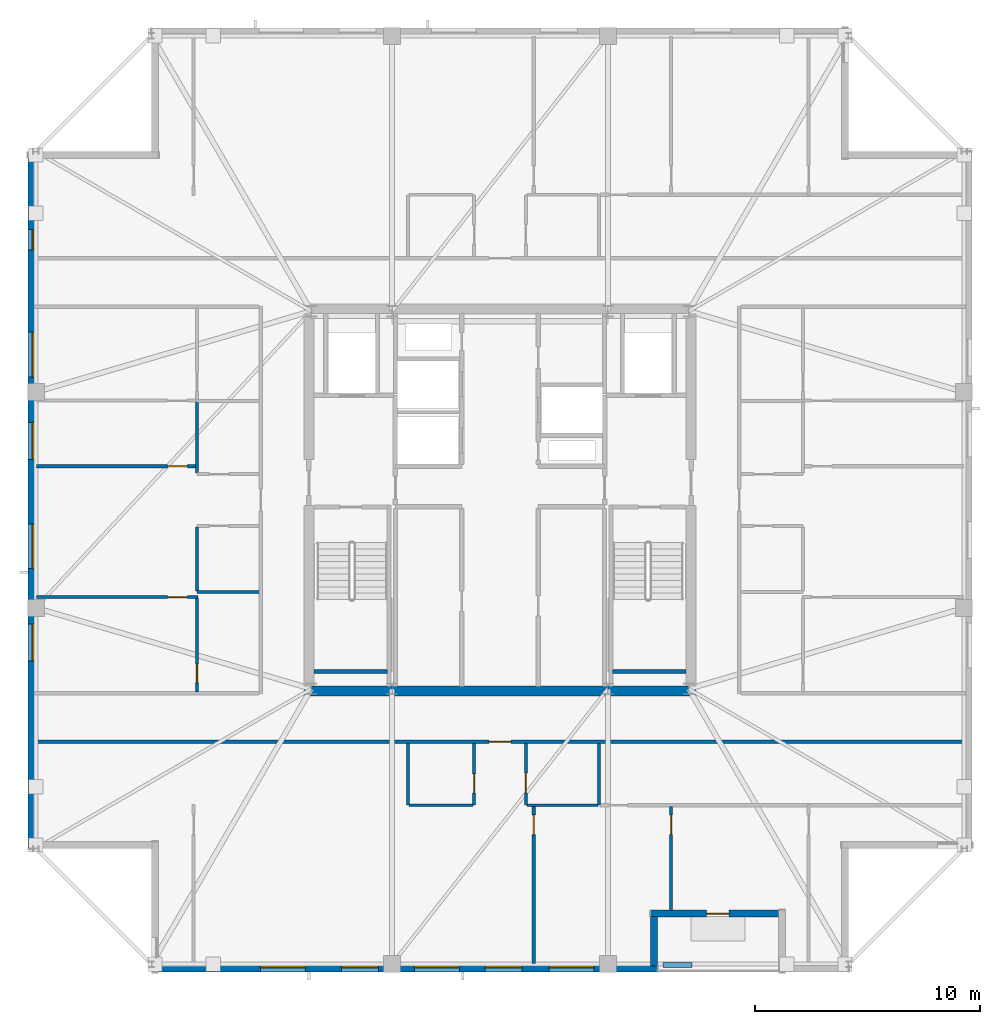
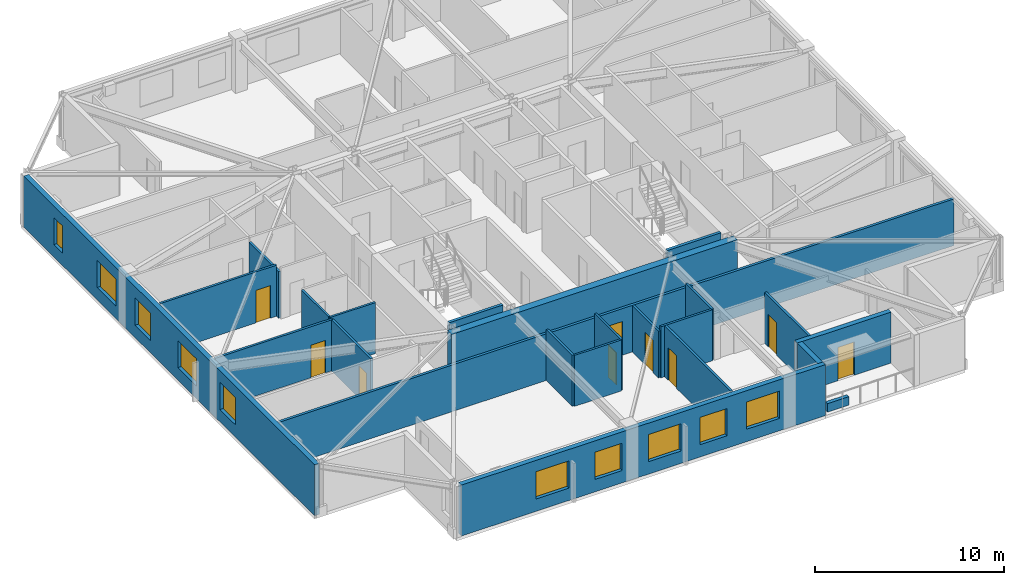
# One storey, part 7 of 15: 23 walls, 10 windows, 9 doors, 19 openings.
"""IFC4 building model written with IfcOpenShell, lengths in metres."""

from ifc_helpers import new_model, si_unit, direction, frame, frame_2d, origin, place, context, subcontext, project, spatial, rectangle, extrude, material, layer, layer_set, type_object, element, fill, save


model = new_model("IFC4")

# Units and contexts
model_context = context("Model", 3, precision=1e-05, world=origin(), true_north=direction((0.0, 1.0)))
body_context = subcontext(model_context, "Body", "Model", "MODEL_VIEW")
ifc_project = project(units=[si_unit("LENGTHUNIT", "METRE"), si_unit("AREAUNIT", "SQUARE_METRE"), si_unit("VOLUMEUNIT", "CUBIC_METRE"), si_unit("PLANEANGLEUNIT", "RADIAN"), si_unit("MASSUNIT", "GRAM", prefix="KILO")], contexts=[model_context])

# Site, building, storey
site_placement = place(None, origin())
site = spatial("IfcSite", under=ifc_project, at=site_placement, CompositionType="ELEMENT")
building_placement = place(site_placement, origin())
building = spatial("IfcBuilding", under=site, at=building_placement, Name="Cairnveth Concourse Tower", CompositionType="ELEMENT")
storey_placement = place(building_placement, frame((0.0, 0.0, 287.5)))
storey = spatial("IfcBuildingStorey", under=building, at=storey_placement, Name="L79", CompositionType="ELEMENT", Elevation=287.5)

# Wall, opening, door
ifc_material_1 = material(Name="Gypsum Plasterboard Partition", Category="gypsum")
ifc_layer_1 = layer(ifc_material_1, 0.159912109375)
ifc_layer_set_1 = layer_set([ifc_layer_1], Name="Gypsum Plasterboard Partition")
wall_type_1 = type_object("IfcWallType", Name="ACOUSTIC PARTY WALL 180", PredefinedType="PARTITIONING", material=ifc_layer_set_1)
wall_1_placement = place(storey_placement, frame((31.284912109375, 28.25, 0.0), z_axis=(0.0, 0.0, 1.0), x_axis=(1.0, 0.0, 0.0)))
wall_1 = element("IfcWall", 1, at=wall_1_placement, inside=storey, type_object=wall_type_1, Name="Interior Wall IW-L79-033", PredefinedType="PARTITIONING", context=body_context, shape_type="SweptSolid", body=[
    extrude(rectangle(XDim=41.43017578125, YDim=0.159912109375, at=frame_2d((20.715087890625, 0.0))), origin(), (0.0, 0.0, 1.0), 3.009033203125),
])
opening_1_placement = place(wall_1_placement, frame((20.235107421875, 0.0, 0.0)))
opening_1 = element("IfcOpeningElement", 2, at=opening_1_placement, cuts=wall_1, Name="Opening ID10", PredefinedType="OPENING", context=body_context, shape_type="SweptSolid", body=[
    extrude(rectangle(XDim=0.9599609375, YDim=2.179931640625, at=frame_2d((0.47998046875, 1.08984375))), frame((0.0, 0.08984375, 0.0), z_axis=(0.0, -1.0, 0.0), x_axis=(1.0, 0.0, 0.0)), (0.0, 0.0, 1.0), 0.179931640625),
])
ifc_material_2 = material(Name="Solid Core Hardwood Timber Leaf", Category="wood")
door_type_1 = type_object("IfcDoorType", Name="FLAT ENTRANCE DOOR 960X2150", OperationType="NOTDEFINED", PredefinedType="DOOR", material=ifc_material_2)
door_1_placement = place(opening_1_placement, origin())
door_1 = element("IfcDoor", 3, at=door_1_placement, inside=storey, type_object=door_type_1, Name="Penthouse L79PS1 Entrance Door", OperationType="SINGLE_SWING_RIGHT", OverallHeight=2.179931640625, OverallWidth=0.9599609375, PredefinedType="DOOR", context=body_context, shape_type="SweptSolid", body=[
    extrude(rectangle(XDim=0.9599609375, YDim=2.179931640625, at=frame_2d((0.47998046875, 1.08984375))), frame((0.0, 0.02490234375, 0.0), z_axis=(0.0, -1.0, 0.0), x_axis=(1.0, 0.0, 0.0)), (0.0, 0.0, 1.0), 0.050048828125),
])
fill(opening_1, door_1)

# Walls
ifc_material_3 = material(Name="Concrete N65 (65 MPa)", Category="concrete")
ifc_layer_2 = layer(ifc_material_3, 0.449951171875)
ifc_layer_set_2 = layer_set([ifc_layer_2], Name="Concrete N65 (65 MPa)")
wall_type_2 = type_object("IfcWallType", Name="CORE SHEAR WALL 450", PredefinedType="SHEAR", material=ifc_layer_set_2)
wall_2_placement = place(storey_placement, frame((43.27490234375, 30.5, 0.0), z_axis=(0.0, 0.0, 1.0), x_axis=(1.0, 0.0, 0.0)))
element("IfcWall", 4, at=wall_2_placement, inside=storey, type_object=wall_type_2, Name="Core South Shear Wall L79", PredefinedType="SHEAR", context=body_context, shape_type="SweptSolid", body=[
    extrude(rectangle(XDim=17.4501953125, YDim=0.449951171875, at=frame_2d((8.72509765625, 0.0))), origin(), (0.0, 0.0, 1.0), 3.2900390625),
])
ifc_material_4 = material(Name="Concrete N50 (50 MPa)", Category="concrete")
ifc_layer_3 = layer(ifc_material_4, 0.179931640625)
ifc_layer_set_3 = layer_set([ifc_layer_3], Name="Concrete N50 (50 MPa)")
wall_type_3 = type_object("IfcWallType", Name="FIRE SHAFT WALL 180", PredefinedType="SOLIDWALL", material=ifc_layer_set_3)
for number, where, z_axis, x_axis, name in (
    (5, (43.715087890625, 31.360107421875, 0.0), (0.0, 0.0, 1.0), (1.0, 0.0, 0.0), "Stair ST-1 Shaft Wall FAR L79"),
    (6, (57.0048828125, 31.360107421875, 0.0), (0.0, 0.0, 1.0), (1.0, 0.0, 0.0), "Stair ST-2 Shaft Wall FAR L79"),
):
    element("IfcWall", number, at=place(storey_placement, frame(where, z_axis=z_axis, x_axis=x_axis)), inside=storey, type_object=wall_type_3, Name=name, PredefinedType="SOLIDWALL", context=body_context, shape_type="SweptSolid", body=[
        extrude(rectangle(XDim=3.280029296875, YDim=0.179931640625, at=frame_2d((1.64013671875, 0.0))), origin(), (0.0, 0.0, 1.0), 3.2900390625),
    ])

# Wall, opening, door
ifc_layer_4 = layer(ifc_material_1, 0.139892578125)
ifc_layer_set_4 = layer_set([ifc_layer_4], Name="Gypsum Plasterboard Partition")
wall_type_4 = type_object("IfcWallType", Name="GYPSUM STUD PARTITION 140", PredefinedType="PARTITIONING", material=ifc_layer_set_4)
wall_3_placement = place(storey_placement, frame((53.5, 18.3798828125, 0.0), z_axis=(0.0, 0.0, 1.0), x_axis=(0.0, 1.0, 0.0)))
wall_3 = element("IfcWall", 7, at=wall_3_placement, inside=storey, type_object=wall_type_4, Name="Interior Wall IW-L79-050", PredefinedType="PARTITIONING", context=body_context, shape_type="SweptSolid", body=[
    extrude(rectangle(XDim=6.990234375, YDim=0.139892578125, at=frame_2d((3.4951171875, 0.0))), origin(), (0.0, 0.0, 1.0), 3.2900390625),
])
opening_2_placement = place(wall_3_placement, frame((5.72998046875, 0.0, 0.0)))
opening_2 = element("IfcOpeningElement", 8, at=opening_2_placement, cuts=wall_3, Name="Opening ID18", PredefinedType="OPENING", context=body_context, shape_type="SweptSolid", body=[
    extrude(rectangle(XDim=0.8798828125, YDim=2.10009765625, at=frame_2d((0.43994140625, 1.050048828125))), frame((0.0, 0.079833984375, 0.0), z_axis=(0.0, -1.0, 0.0), x_axis=(1.0, 0.0, 0.0)), (0.0, 0.0, 1.0), 0.159912109375),
])
door_type_2 = type_object("IfcDoorType", Name="INTERIOR SINGLE DOOR 880X2100", OperationType="NOTDEFINED", PredefinedType="DOOR", material=ifc_material_2)
door_2_placement = place(opening_2_placement, origin())
door_2 = element("IfcDoor", 9, at=door_2_placement, inside=storey, type_object=door_type_2, Name="L79PS1 Media Lounge Door", OperationType="SINGLE_SWING_RIGHT", OverallHeight=2.10009765625, OverallWidth=0.8798828125, PredefinedType="DOOR", context=body_context, shape_type="SweptSolid", body=[
    extrude(rectangle(XDim=0.8798828125, YDim=2.10009765625, at=frame_2d((0.43994140625, 1.050048828125))), frame((0.0, 0.02490234375, 0.0), z_axis=(0.0, -1.0, 0.0), x_axis=(1.0, 0.0, 0.0)), (0.0, 0.0, 1.0), 0.050048828125),
])
fill(opening_2, door_2)

wall_4_placement = place(storey_placement, frame((59.614990234375, 20.735107421875, 0.0), z_axis=(0.0, 0.0, 1.0), x_axis=(0.0, 1.0, 0.0)))
wall_4 = element("IfcWall", 10, at=wall_4_placement, inside=storey, type_object=wall_type_4, Name="Interior Wall IW-L79-051", PredefinedType="PARTITIONING", context=body_context, shape_type="SweptSolid", body=[
    extrude(rectangle(XDim=4.6298828125, YDim=0.139892578125, at=frame_2d((2.31494140625, 0.0))), origin(), (0.0, 0.0, 1.0), 3.2900390625),
])
opening_3_placement = place(wall_4_placement, frame((3.375, 0.0, 0.0)))
opening_3 = element("IfcOpeningElement", 11, at=opening_3_placement, cuts=wall_4, Name="Opening ID18", PredefinedType="OPENING", context=body_context, shape_type="SweptSolid", body=[
    extrude(rectangle(XDim=0.8798828125, YDim=2.10009765625, at=frame_2d((0.43994140625, 1.050048828125))), frame((0.0, 0.079833984375, 0.0), z_axis=(0.0, -1.0, 0.0), x_axis=(1.0, 0.0, 0.0)), (0.0, 0.0, 1.0), 0.159912109375),
])
door_3_placement = place(opening_3_placement, origin())
door_3 = element("IfcDoor", 12, at=door_3_placement, inside=storey, type_object=door_type_2, Name="L79PS1 Library Salon Door", OperationType="SINGLE_SWING_LEFT", OverallHeight=2.10009765625, OverallWidth=0.8798828125, PredefinedType="DOOR", context=body_context, shape_type="SweptSolid", body=[
    extrude(rectangle(XDim=0.8798828125, YDim=2.10009765625, at=frame_2d((0.43994140625, 1.050048828125))), frame((0.0, 0.02490234375, 0.0), z_axis=(0.0, -1.0, 0.0), x_axis=(1.0, 0.0, 0.0)), (0.0, 0.0, 1.0), 0.050048828125),
])
fill(opening_3, door_3)

wall_5_placement = place(storey_placement, frame((31.3798828125, 34.679931640625, 0.0), z_axis=(0.0, 0.0, 1.0), x_axis=(1.0, 0.0, 0.0)))
wall_5 = element("IfcWall", 13, at=wall_5_placement, inside=storey, type_object=wall_type_4, Name="Interior Wall IW-L79-069", PredefinedType="PARTITIONING", context=body_context, shape_type="SweptSolid", body=[
    extrude(rectangle(XDim=7.18017578125, YDim=0.139892578125, at=frame_2d((3.590087890625, 0.0))), origin(), (0.0, 0.0, 1.0), 3.2900390625),
])
opening_4_placement = place(wall_5_placement, frame((5.830078125, 0.0, 0.0)))
opening_4 = element("IfcOpeningElement", 14, at=opening_4_placement, cuts=wall_5, Name="Opening ID18", PredefinedType="OPENING", context=body_context, shape_type="SweptSolid", body=[
    extrude(rectangle(XDim=0.8798828125, YDim=2.10009765625, at=frame_2d((0.43994140625, 1.050048828125))), frame((0.0, 0.079833984375, 0.0), z_axis=(0.0, -1.0, 0.0), x_axis=(1.0, 0.0, 0.0)), (0.0, 0.0, 1.0), 0.159912109375),
])
door_4_placement = place(opening_4_placement, origin())
door_4 = element("IfcDoor", 15, at=door_4_placement, inside=storey, type_object=door_type_2, Name="L79PW1 Master Bedroom Door", OperationType="SINGLE_SWING_RIGHT", OverallHeight=2.10009765625, OverallWidth=0.8798828125, PredefinedType="DOOR", context=body_context, shape_type="SweptSolid", body=[
    extrude(rectangle(XDim=0.8798828125, YDim=2.10009765625, at=frame_2d((0.43994140625, 1.050048828125))), frame((0.0, 0.02490234375, 0.0), z_axis=(0.0, -1.0, 0.0), x_axis=(1.0, 0.0, 0.0)), (0.0, 0.0, 1.0), 0.050048828125),
])
fill(opening_4, door_4)

wall_6_placement = place(storey_placement, frame((38.52001953125, 30.465087890625, 0.0), z_axis=(0.0, 0.0, 1.0), x_axis=(0.0, 1.0, 0.0)))
wall_6 = element("IfcWall", 16, at=wall_6_placement, inside=storey, type_object=wall_type_4, Name="Interior Wall IW-L79-070", PredefinedType="PARTITIONING", context=body_context, shape_type="SweptSolid", body=[
    extrude(rectangle(XDim=4.159912109375, YDim=0.139892578125, at=frame_2d((2.080078125, 0.0))), origin(), (0.0, 0.0, 1.0), 3.2900390625),
])
opening_5_placement = place(wall_6_placement, frame((0.4150390625, 0.0, 0.0)))
opening_5 = element("IfcOpeningElement", 17, at=opening_5_placement, cuts=wall_6, Name="Opening ID22", PredefinedType="OPENING", context=body_context, shape_type="SweptSolid", body=[
    extrude(rectangle(XDim=0.820068359375, YDim=2.10009765625, at=frame_2d((0.41015625, 1.050048828125))), frame((0.0, 0.079833984375, 0.0), z_axis=(0.0, -1.0, 0.0), x_axis=(1.0, 0.0, 0.0)), (0.0, 0.0, 1.0), 0.159912109375),
])
door_type_3 = type_object("IfcDoorType", Name="INTERIOR WC DOOR 820X2100", OperationType="NOTDEFINED", PredefinedType="DOOR", material=ifc_material_2)
door_5_placement = place(opening_5_placement, origin())
door_5 = element("IfcDoor", 18, at=door_5_placement, inside=storey, type_object=door_type_3, Name="L79PW1 Dressing Door", OperationType="SINGLE_SWING_LEFT", OverallHeight=2.10009765625, OverallWidth=0.820068359375, PredefinedType="DOOR", context=body_context, shape_type="SweptSolid", body=[
    extrude(rectangle(XDim=0.820068359375, YDim=2.10009765625, at=frame_2d((0.41015625, 1.050048828125))), frame((0.0, 0.02490234375, 0.0), z_axis=(0.0, -1.0, 0.0), x_axis=(1.0, 0.0, 0.0)), (0.0, 0.0, 1.0), 0.050048828125),
])
fill(opening_5, door_5)

wall_7_placement = place(storey_placement, frame((31.3798828125, 40.5, 0.0), z_axis=(0.0, 0.0, 1.0), x_axis=(1.0, 0.0, 0.0)))
wall_7 = element("IfcWall", 19, at=wall_7_placement, inside=storey, type_object=wall_type_4, Name="Interior Wall IW-L79-073", PredefinedType="PARTITIONING", context=body_context, shape_type="SweptSolid", body=[
    extrude(rectangle(XDim=7.090087890625, YDim=0.139892578125, at=frame_2d((3.544921875, 0.0))), origin(), (0.0, 0.0, 1.0), 3.2900390625),
])
opening_6_placement = place(wall_7_placement, frame((5.830078125, 0.0, 0.0)))
opening_6 = element("IfcOpeningElement", 20, at=opening_6_placement, cuts=wall_7, Name="Opening ID18", PredefinedType="OPENING", context=body_context, shape_type="SweptSolid", body=[
    extrude(rectangle(XDim=0.8798828125, YDim=2.10009765625, at=frame_2d((0.43994140625, 1.050048828125))), frame((0.0, 0.079833984375, 0.0), z_axis=(0.0, -1.0, 0.0), x_axis=(1.0, 0.0, 0.0)), (0.0, 0.0, 1.0), 0.159912109375),
])
door_6_placement = place(opening_6_placement, origin())
door_6 = element("IfcDoor", 21, at=door_6_placement, inside=storey, type_object=door_type_2, Name="L79PW1 Media Lounge Door", OperationType="SINGLE_SWING_LEFT", OverallHeight=2.10009765625, OverallWidth=0.8798828125, PredefinedType="DOOR", context=body_context, shape_type="SweptSolid", body=[
    extrude(rectangle(XDim=0.8798828125, YDim=2.10009765625, at=frame_2d((0.43994140625, 1.050048828125))), frame((0.0, 0.02490234375, 0.0), z_axis=(0.0, -1.0, 0.0), x_axis=(1.0, 0.0, 0.0)), (0.0, 0.0, 1.0), 0.050048828125),
])
fill(opening_6, door_6)

# Walls
ifc_material_5 = material(Name="Dressed Melbourne Bluestone Cladding", Category="masonry")
ifc_layer_5 = layer(ifc_material_5, 0.219970703125)
ifc_layer_set_5 = layer_set([ifc_layer_5], Name="Dressed Melbourne Bluestone Cladding")
wall_type_5 = type_object("IfcWallType", Name="TERRACE PLANTER CURB WALL 220", PredefinedType="PARAPET", material=ifc_layer_set_5)
wall_8_placement = place(storey_placement, frame((59.25, 18.320068359375, 0.0), z_axis=(0.0, 0.0, 1.0), x_axis=(1.0, 0.0, 0.0)))
element("IfcWall", 22, at=wall_8_placement, inside=storey, type_object=wall_type_5, Name="Exterior Wall PLNT-L79-TERR", PredefinedType="PARAPET", context=body_context, shape_type="SweptSolid", body=[
    extrude(rectangle(XDim=1.300048828125, YDim=0.219970703125, at=frame_2d((0.64990234375, 0.0))), origin(), (0.0, 0.0, 1.0), 0.550048828125),
])
ifc_layer_6 = layer(ifc_material_1, 0.1298828125)
ifc_layer_set_6 = layer_set([ifc_layer_6], Name="Gypsum Plasterboard Partition")
wall_type_6 = type_object("IfcWallType", Name="WET AREA PARTITION 140", PredefinedType="PLUMBINGWALL", material=ifc_layer_set_6)
wall_9_placement = place(storey_placement, frame((47.89990234375, 25.419921875, 0.0), z_axis=(0.0, 0.0, 1.0), x_axis=(0.0, 1.0, 0.0)))
element("IfcWall", 23, at=wall_9_placement, inside=storey, type_object=wall_type_6, Name="Interior Wall IW-L79-041", PredefinedType="PLUMBINGWALL", context=body_context, shape_type="SweptSolid", body=[
    extrude(rectangle(XDim=2.75, YDim=0.1298828125, at=frame_2d((1.375, 0.0))), origin(), (0.0, 0.0, 1.0), 3.2900390625),
])

# Wall, opening, door
wall_10_placement = place(storey_placement, frame((50.85009765625, 25.419921875, 0.0), z_axis=(0.0, 0.0, 1.0), x_axis=(0.0, 1.0, 0.0)))
wall_10 = element("IfcWall", 24, at=wall_10_placement, inside=storey, type_object=wall_type_6, Name="Interior Wall IW-L79-042", PredefinedType="PLUMBINGWALL", context=body_context, shape_type="SweptSolid", body=[
    extrude(rectangle(XDim=2.75, YDim=0.1298828125, at=frame_2d((1.375, 0.0))), origin(), (0.0, 0.0, 1.0), 3.2900390625),
])
opening_7_placement = place(wall_10_placement, frame((0.550048828125, 0.0, 0.0)))
opening_7 = element("IfcOpeningElement", 25, at=opening_7_placement, cuts=wall_10, Name="Opening ID21", PredefinedType="OPENING", context=body_context, shape_type="SweptSolid", body=[
    extrude(rectangle(XDim=0.85009765625, YDim=2.080078125, at=frame_2d((0.425048828125, 1.0400390625))), frame((0.0, 0.074951171875, 0.0), z_axis=(0.0, -1.0, 0.0), x_axis=(1.0, 0.0, 0.0)), (0.0, 0.0, 1.0), 0.14990234375),
])
door_type_4 = type_object("IfcDoorType", Name="INTERIOR WC DOOR 850X2100", OperationType="NOTDEFINED", PredefinedType="DOOR", material=ifc_material_2)
door_7_placement = place(opening_7_placement, origin())
door_7 = element("IfcDoor", 26, at=door_7_placement, inside=storey, type_object=door_type_4, Name="L79PS1 Bathroom Door", OperationType="SINGLE_SWING_LEFT", OverallHeight=2.080078125, OverallWidth=0.85009765625, PredefinedType="DOOR", context=body_context, shape_type="SweptSolid", body=[
    extrude(rectangle(XDim=0.85009765625, YDim=2.080078125, at=frame_2d((0.425048828125, 1.0400390625))), frame((0.0, 0.02490234375, 0.0), z_axis=(0.0, -1.0, 0.0), x_axis=(1.0, 0.0, 0.0)), (0.0, 0.0, 1.0), 0.050048828125),
])
fill(opening_7, door_7)

# Walls
wall_11_placement = place(storey_placement, frame((47.949951171875, 25.419921875, 0.0), z_axis=(0.0, 0.0, 1.0), x_axis=(1.0, 0.0, 0.0)))
element("IfcWall", 27, at=wall_11_placement, inside=storey, type_object=wall_type_6, Name="Interior Wall IW-L79-043", PredefinedType="PLUMBINGWALL", context=body_context, shape_type="SweptSolid", body=[
    extrude(rectangle(XDim=2.85009765625, YDim=0.1298828125, at=frame_2d((1.425048828125, 0.0))), origin(), (0.0, 0.0, 1.0), 3.2900390625),
])
wall_12_placement = place(storey_placement, frame((56.39990234375, 25.419921875, 0.0), z_axis=(0.0, 0.0, 1.0), x_axis=(0.0, 1.0, 0.0)))
element("IfcWall", 28, at=wall_12_placement, inside=storey, type_object=wall_type_6, Name="Interior Wall IW-L79-044", PredefinedType="PLUMBINGWALL", context=body_context, shape_type="SweptSolid", body=[
    extrude(rectangle(XDim=2.75, YDim=0.1298828125, at=frame_2d((1.375, 0.0))), origin(), (0.0, 0.0, 1.0), 3.2900390625),
])

# Wall, opening, door
wall_13_placement = place(storey_placement, frame((53.14990234375, 25.419921875, 0.0), z_axis=(0.0, 0.0, 1.0), x_axis=(0.0, 1.0, 0.0)))
wall_13 = element("IfcWall", 29, at=wall_13_placement, inside=storey, type_object=wall_type_6, Name="Interior Wall IW-L79-045", PredefinedType="PLUMBINGWALL", context=body_context, shape_type="SweptSolid", body=[
    extrude(rectangle(XDim=2.75, YDim=0.1298828125, at=frame_2d((1.375, 0.0))), origin(), (0.0, 0.0, 1.0), 3.009033203125),
])
opening_8_placement = place(wall_13_placement, frame((0.550048828125, 0.0, 0.0)))
opening_8 = element("IfcOpeningElement", 30, at=opening_8_placement, cuts=wall_13, Name="Opening ID18", PredefinedType="OPENING", context=body_context, shape_type="SweptSolid", body=[
    extrude(rectangle(XDim=0.8798828125, YDim=2.10009765625, at=frame_2d((0.43994140625, 1.050048828125))), frame((0.0, 0.074951171875, 0.0), z_axis=(0.0, -1.0, 0.0), x_axis=(1.0, 0.0, 0.0)), (0.0, 0.0, 1.0), 0.14990234375),
])
door_8_placement = place(opening_8_placement, origin())
door_8 = element("IfcDoor", 31, at=door_8_placement, inside=storey, type_object=door_type_2, Name="L79PS1 Kitchen Door", OperationType="SINGLE_SWING_RIGHT", OverallHeight=2.10009765625, OverallWidth=0.8798828125, PredefinedType="DOOR", context=body_context, shape_type="SweptSolid", body=[
    extrude(rectangle(XDim=0.8798828125, YDim=2.10009765625, at=frame_2d((0.43994140625, 1.050048828125))), frame((0.0, 0.02490234375, 0.0), z_axis=(0.0, -1.0, 0.0), x_axis=(1.0, 0.0, 0.0)), (0.0, 0.0, 1.0), 0.050048828125),
])
fill(opening_8, door_8)

# Walls
wall_14_placement = place(storey_placement, frame((53.199951171875, 25.419921875, 0.0), z_axis=(0.0, 0.0, 1.0), x_axis=(1.0, 0.0, 0.0)))
element("IfcWall", 32, at=wall_14_placement, inside=storey, type_object=wall_type_6, Name="Interior Wall IW-L79-046", PredefinedType="PLUMBINGWALL", context=body_context, shape_type="SweptSolid", body=[
    extrude(rectangle(XDim=3.150146484375, YDim=0.1298828125, at=frame_2d((1.5751953125, 0.0))), origin(), (0.0, 0.0, 1.0), 3.2900390625),
])
wall_15_placement = place(storey_placement, frame((38.52001953125, 34.89990234375, 0.0), z_axis=(0.0, 0.0, 1.0), x_axis=(1.0, 0.0, 0.0)))
element("IfcWall", 33, at=wall_15_placement, inside=storey, type_object=wall_type_6, Name="Interior Wall IW-L79-063", PredefinedType="PLUMBINGWALL", context=body_context, shape_type="SweptSolid", body=[
    extrude(rectangle(XDim=2.75, YDim=0.1298828125, at=frame_2d((1.375, 0.0))), origin(), (0.0, 0.0, 1.0), 3.2900390625),
])
wall_16_placement = place(storey_placement, frame((38.52001953125, 34.949951171875, 0.0), z_axis=(0.0, 0.0, 1.0), x_axis=(0.0, 1.0, 0.0)))
element("IfcWall", 34, at=wall_16_placement, inside=storey, type_object=wall_type_6, Name="Interior Wall IW-L79-065", PredefinedType="PLUMBINGWALL", context=body_context, shape_type="SweptSolid", body=[
    extrude(rectangle(XDim=2.85009765625, YDim=0.1298828125, at=frame_2d((1.425048828125, 0.0))), origin(), (0.0, 0.0, 1.0), 3.2900390625),
])
wall_17_placement = place(storey_placement, frame((38.52001953125, 40.199951171875, 0.0), z_axis=(0.0, 0.0, 1.0), x_axis=(0.0, 1.0, 0.0)))
element("IfcWall", 35, at=wall_17_placement, inside=storey, type_object=wall_type_6, Name="Interior Wall IW-L79-068", PredefinedType="PLUMBINGWALL", context=body_context, shape_type="SweptSolid", body=[
    extrude(rectangle(XDim=3.150146484375, YDim=0.1298828125, at=frame_2d((1.5751953125, 0.0))), origin(), (0.0, 0.0, 1.0), 3.009033203125),
])

# Wall, openings, windows
ifc_material_6 = material(Name="Hawthorn Red-Ochre Fired Clay Brick Masonry", Category="masonry")
ifc_layer_7 = layer(ifc_material_6, 0.300048828125)
ifc_layer_set_7 = layer_set([ifc_layer_7], Name="Hawthorn Red-Ochre Fired Clay Brick Masonry")
wall_type_7 = type_object("IfcWallType", Name="ZONE 4 BRICK PIER SPANDREL WALL 300", PredefinedType="SOLIDWALL", material=ifc_layer_set_7)
wall_18_placement = place(storey_placement, frame((59.0, 18.14990234375, 0.0), z_axis=(0.0, 0.0, 1.0), x_axis=(-1.0, 0.0, 0.0)))
wall_18 = element("IfcWall", 36, at=wall_18_placement, inside=storey, type_object=wall_type_7, Name="Exterior Wall EW-L79-S00", PredefinedType="SOLIDWALL", context=body_context, shape_type="SweptSolid", body=[
    extrude(rectangle(XDim=22.221923828125, YDim=0.300048828125, at=frame_2d((11.11083984375, 0.0))), origin(), (0.0, 0.0, 1.0), 3.2900390625),
])
opening_9_placement = place(wall_18_placement, frame((2.812255859375, 0.0, 0.800048828125)))
opening_9 = element("IfcOpeningElement", 37, at=opening_9_placement, cuts=wall_18, Name="Opening W09", PredefinedType="OPENING", context=body_context, shape_type="SweptSolid", body=[
    extrude(rectangle(XDim=2.0, YDim=1.758056640625, at=frame_2d((1.0, 0.87890625))), frame((0.0, 0.159912109375, 0.0), z_axis=(0.0, -1.0, 0.0), x_axis=(1.0, 0.0, 0.0)), (0.0, 0.0, 1.0), 0.320068359375),
])
opening_10_placement = place(wall_18_placement, frame((6.01171875, 0.0, 0.800048828125)))
opening_10 = element("IfcOpeningElement", 38, at=opening_10_placement, cuts=wall_18, Name="Opening W04", PredefinedType="OPENING", context=body_context, shape_type="SweptSolid", body=[
    extrude(rectangle(XDim=1.64990234375, YDim=1.758056640625, at=frame_2d((0.824951171875, 0.87890625))), frame((0.0, 0.159912109375, 0.0), z_axis=(0.0, -1.0, 0.0), x_axis=(1.0, 0.0, 0.0)), (0.0, 0.0, 1.0), 0.320068359375),
])
opening_11_placement = place(wall_18_placement, frame((8.81103515625, 0.0, 0.800048828125)))
opening_11 = element("IfcOpeningElement", 39, at=opening_11_placement, cuts=wall_18, Name="Opening W09", PredefinedType="OPENING", context=body_context, shape_type="SweptSolid", body=[
    extrude(rectangle(XDim=2.0, YDim=1.758056640625, at=frame_2d((1.0, 0.87890625))), frame((0.0, 0.159912109375, 0.0), z_axis=(0.0, -1.0, 0.0), x_axis=(1.0, 0.0, 0.0)), (0.0, 0.0, 1.0), 0.320068359375),
])
opening_12_placement = place(wall_18_placement, frame((12.410400390625, 0.0, 0.800048828125)))
opening_12 = element("IfcOpeningElement", 40, at=opening_12_placement, cuts=wall_18, Name="Opening W04", PredefinedType="OPENING", context=body_context, shape_type="SweptSolid", body=[
    extrude(rectangle(XDim=1.64990234375, YDim=1.758056640625, at=frame_2d((0.824951171875, 0.87890625))), frame((0.0, 0.159912109375, 0.0), z_axis=(0.0, -1.0, 0.0), x_axis=(1.0, 0.0, 0.0)), (0.0, 0.0, 1.0), 0.320068359375),
])
opening_13_placement = place(wall_18_placement, frame((15.659912109375, 0.0, 0.800048828125)))
opening_13 = element("IfcOpeningElement", 41, at=opening_13_placement, cuts=wall_18, Name="Opening W09", PredefinedType="OPENING", context=body_context, shape_type="SweptSolid", body=[
    extrude(rectangle(XDim=2.0, YDim=1.758056640625, at=frame_2d((1.0, 0.87890625))), frame((0.0, 0.159912109375, 0.0), z_axis=(0.0, -1.0, 0.0), x_axis=(1.0, 0.0, 0.0)), (0.0, 0.0, 1.0), 0.320068359375),
])
ifc_material_7 = material(Name="Double Glazed Low-E Clear Glass", Category="glass")
window_type_1 = type_object("IfcWindowType", Name="DEEP-SET GOTHIC LANCET WINDOW 1650X1850", PartitioningType="DOUBLE_PANEL_VERTICAL", PredefinedType="WINDOW", material=ifc_material_7)
window_1_placement = place(opening_10_placement, origin())
window_1 = element("IfcWindow", 42, at=window_1_placement, inside=storey, type_object=window_type_1, Name="Gothic Lancet Window L79-0-2", OverallHeight=1.758056640625, OverallWidth=1.64990234375, PartitioningType="SINGLE_PANEL", PredefinedType="WINDOW", context=body_context, shape_type="SweptSolid", body=[
    extrude(rectangle(XDim=1.64990234375, YDim=1.758056640625, at=frame_2d((0.824951171875, 0.87890625))), frame((0.0, -0.050048828125, 0.0), z_axis=(0.0, -1.0, 0.0), x_axis=(1.0, 0.0, 0.0)), (0.0, 0.0, 1.0), 0.06005859375),
])
fill(opening_10, window_1)
window_2_placement = place(opening_12_placement, origin())
window_2 = element("IfcWindow", 43, at=window_2_placement, inside=storey, type_object=window_type_1, Name="Gothic Lancet Window L79-0-4", OverallHeight=1.758056640625, OverallWidth=1.64990234375, PartitioningType="SINGLE_PANEL", PredefinedType="WINDOW", context=body_context, shape_type="SweptSolid", body=[
    extrude(rectangle(XDim=1.64990234375, YDim=1.758056640625, at=frame_2d((0.824951171875, 0.87890625))), frame((0.0, -0.050048828125, 0.0), z_axis=(0.0, -1.0, 0.0), x_axis=(1.0, 0.0, 0.0)), (0.0, 0.0, 1.0), 0.06005859375),
])
fill(opening_12, window_2)
window_type_2 = type_object("IfcWindowType", Name="DEEP-SET PENTHOUSE LANCET WINDOW 2000X1850", PartitioningType="DOUBLE_PANEL_VERTICAL", PredefinedType="WINDOW", material=ifc_material_7)
window_3_placement = place(opening_9_placement, origin())
window_3 = element("IfcWindow", 44, at=window_3_placement, inside=storey, type_object=window_type_2, Name="Gothic Lancet Window L79-0-1", OverallHeight=1.758056640625, OverallWidth=2.0, PartitioningType="SINGLE_PANEL", PredefinedType="WINDOW", context=body_context, shape_type="SweptSolid", body=[
    extrude(rectangle(XDim=2.0, YDim=1.758056640625, at=frame_2d((1.0, 0.87890625))), frame((0.0, -0.050048828125, 0.0), z_axis=(0.0, -1.0, 0.0), x_axis=(1.0, 0.0, 0.0)), (0.0, 0.0, 1.0), 0.06005859375),
])
fill(opening_9, window_3)
window_4_placement = place(opening_11_placement, origin())
window_4 = element("IfcWindow", 45, at=window_4_placement, inside=storey, type_object=window_type_2, Name="Gothic Lancet Window L79-0-3", OverallHeight=1.758056640625, OverallWidth=2.0, PartitioningType="SINGLE_PANEL", PredefinedType="WINDOW", context=body_context, shape_type="SweptSolid", body=[
    extrude(rectangle(XDim=2.0, YDim=1.758056640625, at=frame_2d((1.0, 0.87890625))), frame((0.0, -0.050048828125, 0.0), z_axis=(0.0, -1.0, 0.0), x_axis=(1.0, 0.0, 0.0)), (0.0, 0.0, 1.0), 0.06005859375),
])
fill(opening_11, window_4)
window_5_placement = place(opening_13_placement, origin())
window_5 = element("IfcWindow", 46, at=window_5_placement, inside=storey, type_object=window_type_2, Name="Gothic Lancet Window L79-0-5", OverallHeight=1.758056640625, OverallWidth=2.0, PartitioningType="SINGLE_PANEL", PredefinedType="WINDOW", context=body_context, shape_type="SweptSolid", body=[
    extrude(rectangle(XDim=2.0, YDim=1.758056640625, at=frame_2d((1.0, 0.87890625))), frame((0.0, -0.050048828125, 0.0), z_axis=(0.0, -1.0, 0.0), x_axis=(1.0, 0.0, 0.0)), (0.0, 0.0, 1.0), 0.06005859375),
])
fill(opening_13, window_5)

wall_19_placement = place(storey_placement, frame((31.14990234375, 23.5, 0.0), z_axis=(0.0, 0.0, 1.0), x_axis=(0.0, 1.0, 0.0)))
wall_19 = element("IfcWall", 47, at=wall_19_placement, inside=storey, type_object=wall_type_7, Name="Exterior Wall EW-L79-S03", PredefinedType="SOLIDWALL", context=body_context, shape_type="SweptSolid", body=[
    extrude(rectangle(XDim=30.721923828125, YDim=0.300048828125, at=frame_2d((15.36083984375, 0.0))), origin(), (0.0, 0.0, 1.0), 3.2900390625),
])
opening_14_placement = place(wall_19_placement, frame((8.33056640625, 0.0, 0.800048828125)))
opening_14 = element("IfcOpeningElement", 48, at=opening_14_placement, cuts=wall_19, Name="Opening W04", PredefinedType="OPENING", context=body_context, shape_type="SweptSolid", body=[
    extrude(rectangle(XDim=1.64990234375, YDim=1.758056640625, at=frame_2d((0.824951171875, 0.87890625))), frame((0.0, 0.159912109375, 0.0), z_axis=(0.0, -1.0, 0.0), x_axis=(1.0, 0.0, 0.0)), (0.0, 0.0, 1.0), 0.320068359375),
])
opening_15_placement = place(wall_19_placement, frame((12.4423828125, 0.0, 0.800048828125)))
opening_15 = element("IfcOpeningElement", 49, at=opening_15_placement, cuts=wall_19, Name="Opening W09", PredefinedType="OPENING", context=body_context, shape_type="SweptSolid", body=[
    extrude(rectangle(XDim=2.0, YDim=1.758056640625, at=frame_2d((1.0, 0.87890625))), frame((0.0, 0.159912109375, 0.0), z_axis=(0.0, -1.0, 0.0), x_axis=(1.0, 0.0, 0.0)), (0.0, 0.0, 1.0), 0.320068359375),
])
opening_16_placement = place(wall_19_placement, frame((17.304443359375, 0.0, 0.800048828125)))
opening_16 = element("IfcOpeningElement", 50, at=opening_16_placement, cuts=wall_19, Name="Opening W04", PredefinedType="OPENING", context=body_context, shape_type="SweptSolid", body=[
    extrude(rectangle(XDim=1.64990234375, YDim=1.758056640625, at=frame_2d((0.824951171875, 0.87890625))), frame((0.0, 0.159912109375, 0.0), z_axis=(0.0, -1.0, 0.0), x_axis=(1.0, 0.0, 0.0)), (0.0, 0.0, 1.0), 0.320068359375),
])
opening_17_placement = place(wall_19_placement, frame((20.966552734375, 0.0, 0.800048828125)))
opening_17 = element("IfcOpeningElement", 51, at=opening_17_placement, cuts=wall_19, Name="Opening W09", PredefinedType="OPENING", context=body_context, shape_type="SweptSolid", body=[
    extrude(rectangle(XDim=2.0, YDim=1.758056640625, at=frame_2d((1.0, 0.87890625))), frame((0.0, 0.159912109375, 0.0), z_axis=(0.0, -1.0, 0.0), x_axis=(1.0, 0.0, 0.0)), (0.0, 0.0, 1.0), 0.320068359375),
])
opening_18_placement = place(wall_19_placement, frame((26.6298828125, 0.0, 0.800048828125)))
opening_18 = element("IfcOpeningElement", 52, at=opening_18_placement, cuts=wall_19, Name="Opening W13", PredefinedType="OPENING", context=body_context, shape_type="SweptSolid", body=[
    extrude(rectangle(XDim=0.89990234375, YDim=1.75, at=frame_2d((0.449951171875, 0.875))), frame((0.0, 0.159912109375, 0.0), z_axis=(0.0, -1.0, 0.0), x_axis=(1.0, 0.0, 0.0)), (0.0, 0.0, 1.0), 0.320068359375),
])
window_type_3 = type_object("IfcWindowType", Name="DEEP-SET BEDROOM LANCET WINDOW 900X1750", PartitioningType="DOUBLE_PANEL_VERTICAL", PredefinedType="WINDOW", material=ifc_material_7)
window_6_placement = place(opening_18_placement, origin())
window_6 = element("IfcWindow", 53, at=window_6_placement, inside=storey, type_object=window_type_3, Name="Dwelling Lancet Window L79-DW3", OverallHeight=1.75, OverallWidth=0.89990234375, PartitioningType="SINGLE_PANEL", PredefinedType="WINDOW", context=body_context, shape_type="SweptSolid", body=[
    extrude(rectangle(XDim=0.89990234375, YDim=1.75, at=frame_2d((0.449951171875, 0.875))), frame((0.0, -0.0400390625, 0.0), z_axis=(0.0, -1.0, 0.0), x_axis=(1.0, 0.0, 0.0)), (0.0, 0.0, 1.0), 0.06005859375),
])
fill(opening_18, window_6)
window_7_placement = place(opening_14_placement, origin())
window_7 = element("IfcWindow", 54, at=window_7_placement, inside=storey, type_object=window_type_1, Name="Gothic Lancet Window L79-3-2", OverallHeight=1.758056640625, OverallWidth=1.64990234375, PartitioningType="SINGLE_PANEL", PredefinedType="WINDOW", context=body_context, shape_type="SweptSolid", body=[
    extrude(rectangle(XDim=1.64990234375, YDim=1.758056640625, at=frame_2d((0.824951171875, 0.87890625))), frame((0.0, -0.050048828125, 0.0), z_axis=(0.0, -1.0, 0.0), x_axis=(1.0, 0.0, 0.0)), (0.0, 0.0, 1.0), 0.06005859375),
])
fill(opening_14, window_7)
window_8_placement = place(opening_16_placement, origin())
window_8 = element("IfcWindow", 55, at=window_8_placement, inside=storey, type_object=window_type_1, Name="Gothic Lancet Window L79-3-4", OverallHeight=1.758056640625, OverallWidth=1.64990234375, PartitioningType="SINGLE_PANEL", PredefinedType="WINDOW", context=body_context, shape_type="SweptSolid", body=[
    extrude(rectangle(XDim=1.64990234375, YDim=1.758056640625, at=frame_2d((0.824951171875, 0.87890625))), frame((0.0, -0.050048828125, 0.0), z_axis=(0.0, -1.0, 0.0), x_axis=(1.0, 0.0, 0.0)), (0.0, 0.0, 1.0), 0.06005859375),
])
fill(opening_16, window_8)
window_9_placement = place(opening_15_placement, origin())
window_9 = element("IfcWindow", 56, at=window_9_placement, inside=storey, type_object=window_type_2, Name="Gothic Lancet Window L79-3-3", OverallHeight=1.758056640625, OverallWidth=2.0, PartitioningType="SINGLE_PANEL", PredefinedType="WINDOW", context=body_context, shape_type="SweptSolid", body=[
    extrude(rectangle(XDim=2.0, YDim=1.758056640625, at=frame_2d((1.0, 0.87890625))), frame((0.0, -0.050048828125, 0.0), z_axis=(0.0, -1.0, 0.0), x_axis=(1.0, 0.0, 0.0)), (0.0, 0.0, 1.0), 0.06005859375),
])
fill(opening_15, window_9)
window_10_placement = place(opening_17_placement, origin())
window_10 = element("IfcWindow", 57, at=window_10_placement, inside=storey, type_object=window_type_2, Name="Gothic Lancet Window L79-3-5", OverallHeight=1.758056640625, OverallWidth=2.0, PartitioningType="SINGLE_PANEL", PredefinedType="WINDOW", context=body_context, shape_type="SweptSolid", body=[
    extrude(rectangle(XDim=2.0, YDim=1.758056640625, at=frame_2d((1.0, 0.87890625))), frame((0.0, -0.050048828125, 0.0), z_axis=(0.0, -1.0, 0.0), x_axis=(1.0, 0.0, 0.0)), (0.0, 0.0, 1.0), 0.06005859375),
])
fill(opening_17, window_10)

# Wall, opening, door
wall_20_placement = place(storey_placement, frame((64.422119140625, 20.60009765625, 0.0), z_axis=(0.0, 0.0, 1.0), x_axis=(-1.0, 0.0, 0.0)))
wall_20 = element("IfcWall", 58, at=wall_20_placement, inside=storey, type_object=wall_type_7, Name="Exterior Wall EW-L79-S14", PredefinedType="SOLIDWALL", context=body_context, shape_type="SweptSolid", body=[
    extrude(rectangle(XDim=5.72216796875, YDim=0.300048828125, at=frame_2d((2.861083984375, 0.0))), origin(), (0.0, 0.0, 1.0), 3.2900390625),
])
opening_19_placement = place(wall_20_placement, frame((2.228515625, 0.0, 0.0)))
opening_19 = element("IfcOpeningElement", 59, at=opening_19_placement, cuts=wall_20, Name="Opening ED4", PredefinedType="OPENING", context=body_context, shape_type="SweptSolid", body=[
    extrude(rectangle(XDim=1.0, YDim=2.14990234375, at=frame_2d((0.5, 1.074951171875))), frame((0.0, 0.159912109375, 0.0), z_axis=(0.0, -1.0, 0.0), x_axis=(1.0, 0.0, 0.0)), (0.0, 0.0, 1.0), 0.320068359375),
])
ifc_material_8 = material(Name="Architectural Bronze Anodised Aluminium 6063-T6", Category="aluminium")
door_type_5 = type_object("IfcDoorType", Name="TERRACE GLAZED DOOR 1000X2150", OperationType="NOTDEFINED", PredefinedType="DOOR", material=ifc_material_8)
door_9_placement = place(opening_19_placement, origin())
door_9 = element("IfcDoor", 60, at=door_9_placement, inside=storey, type_object=door_type_5, Name="Spiral Terrace Door L79", OperationType="SINGLE_SWING_RIGHT", OverallHeight=2.14990234375, OverallWidth=1.0, PredefinedType="DOOR", context=body_context, shape_type="SweptSolid", body=[
    extrude(rectangle(XDim=1.0, YDim=2.14990234375, at=frame_2d((0.5, 1.074951171875))), frame((0.0, 0.02490234375, 0.0), z_axis=(0.0, -1.0, 0.0), x_axis=(1.0, 0.0, 0.0)), (0.0, 0.0, 1.0), 0.050048828125),
])
fill(opening_19, door_9)

# Wall
wall_21_placement = place(storey_placement, frame((58.85009765625, 20.471923828125, 0.0), z_axis=(0.0, 0.0, 1.0), x_axis=(0.0, -1.0, 0.0)))
element("IfcWall", 61, at=wall_21_placement, inside=storey, type_object=wall_type_7, Name="Exterior Wall EW-L79-S15", PredefinedType="SOLIDWALL", context=body_context, shape_type="SweptSolid", body=[
    extrude(rectangle(XDim=2.19384765625, YDim=0.300048828125, at=frame_2d((1.096923828125, 0.0))), origin(), (0.0, 0.0, 1.0), 3.2900390625),
])

save(model, "model.ifc")
